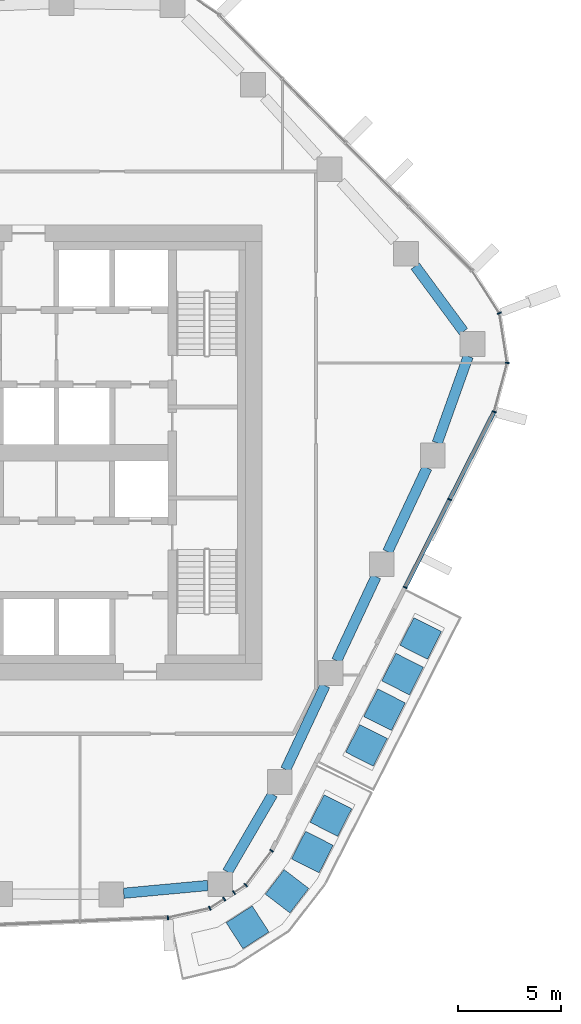
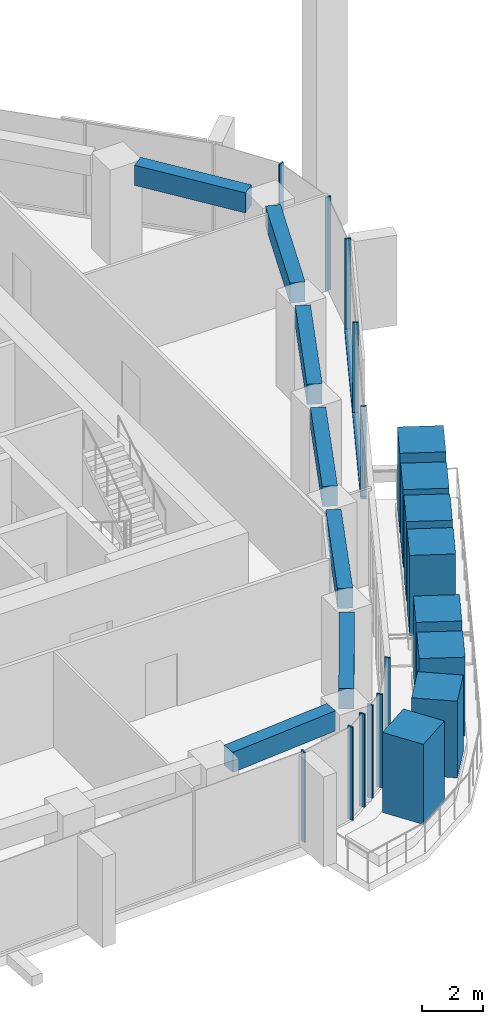
# One storey, part 4 of 18: 20 members, 7 beams, 5 elements without a shape of their own.
"""IFC4 building model written with IfcOpenShell, lengths in metres."""

from ifc_helpers import new_model, si_unit, direction, frame, origin, origin_2d, place, context, subcontext, project, spatial, rectangle, extrude, material, layer, layer_set, material_profile, profile_set, type_object, element, aggregate, save


model = new_model("IFC4")

# Units and contexts
model_context = context("Model", 3, precision=1e-05, world=origin(), true_north=direction((0.0, 1.0)))
body_context = subcontext(model_context, "Body", "Model", "MODEL_VIEW")
ifc_project = project(units=[si_unit("LENGTHUNIT", "METRE"), si_unit("AREAUNIT", "SQUARE_METRE"), si_unit("VOLUMEUNIT", "CUBIC_METRE"), si_unit("PLANEANGLEUNIT", "RADIAN"), si_unit("MASSUNIT", "GRAM", prefix="KILO")], contexts=[model_context])

# Site, building, storey
site_placement = place(None, origin())
site = spatial("IfcSite", under=ifc_project, at=site_placement, CompositionType="ELEMENT")
building_placement = place(site_placement, origin())
building = spatial("IfcBuilding", under=site, at=building_placement, Name="Dongbaek Canopy Tower", CompositionType="ELEMENT")
storey_placement = place(building_placement, frame((0.0, 0.0, 171.199951171875)))
storey = spatial("IfcBuildingStorey", under=building, at=storey_placement, Name="L37", CompositionType="ELEMENT", Elevation=171.199951171875)

# Curtain wall, members
ifc_material_1 = material(Name="Aluminium 6063-T6 pale anodised", Category="aluminium")
ifc_layer = layer(ifc_material_1, 0.199951171875)
ifc_layer_set = layer_set([ifc_layer], Name="CW-1 unitised tower curtain wall")
curtain_wall_type = type_object("IfcCurtainWallType", Name="CW-1 unitised tower curtain wall", PredefinedType="NOTDEFINED", material=ifc_layer_set)
curtain_wall_1_placement = place(storey_placement, origin())
curtain_wall_1 = element("IfcCurtainWall", 1, at=curtain_wall_1_placement, inside=storey, type_object=curtain_wall_type, Name="CW-1 curtain wall K0.1", PredefinedType="NOTDEFINED")
ifc_material_2 = material(Name="Aluminium 6063-T6 pale anodised", Category="aluminium")
ifc_material_profile_1 = material_profile(ifc_material_2, rectangle(XDim=0.199951171875, YDim=0.06005859375, at=origin_2d()), Name="CW-1 mullion 60 x 200")
ifc_profile_set_1 = profile_set([ifc_material_profile_1], Name="Aluminium 6063-T6 pale anodised")
member_type_1 = type_object("IfcMemberType", Name="CW-1 mullion 60 x 200", PredefinedType="MULLION", material=ifc_profile_set_1)
member_1_placement = place(storey_placement, frame((25.218505859375, 1.974609375, 0.0), z_axis=(0.0, 0.0, 1.0), x_axis=(0.966167065095, -0.257917045436, 0.0)))
member_1 = element("IfcMember", 2, at=member_1_placement, type_object=member_type_1, Name="CW-1 mullion K0.1.1", PredefinedType="MULLION", context=body_context, shape_type="SweptSolid", body=[
    extrude(rectangle(XDim=0.199951171875, YDim=0.06005859375, at=origin_2d()), origin(), (0.0, 0.0, 1.0), 3.699951171875),
])
member_2_placement = place(storey_placement, frame((25.85009765625, 4.340087890625, 0.0), z_axis=(0.0, 0.0, 1.0), x_axis=(0.998610902955, -0.052690269496, 0.0)))
member_2 = element("IfcMember", 3, at=member_2_placement, type_object=member_type_1, Name="CW-1 mullion K0.1.2", PredefinedType="MULLION", context=body_context, shape_type="SweptSolid", body=[
    extrude(rectangle(XDim=0.199951171875, YDim=0.06005859375, at=origin_2d()), origin(), (0.0, 0.0, 1.0), 3.699951171875),
])
member_3_placement = place(storey_placement, frame((25.47265625, 6.748291015625, 0.0), z_axis=(0.0, 0.0, 1.0), x_axis=(0.934627080368, 0.355629330402, 0.0)))
member_3 = element("IfcMember", 4, at=member_3_placement, type_object=member_type_1, Name="CW-1 mullion K0.1.3", PredefinedType="MULLION", context=body_context, shape_type="SweptSolid", body=[
    extrude(rectangle(XDim=0.199951171875, YDim=0.06005859375, at=origin_2d()), origin(), (0.0, 0.0, 1.0), 3.699951171875),
])
aggregate(curtain_wall_1, [member_1, member_2, member_3])

# Curtain wall, member
curtain_wall_2_placement = place(storey_placement, origin())
curtain_wall_2 = element("IfcCurtainWall", 5, at=curtain_wall_2_placement, inside=storey, type_object=curtain_wall_type, Name="CW-1 curtain wall F4.1", PredefinedType="NOTDEFINED")
member_4_placement = place(storey_placement, frame((9.439697265625, -22.49658203125, 0.1201171875), z_axis=(0.0, 0.0, 1.0), x_axis=(0.043640187851, -0.999047313196, 0.0)))
member_4 = element("IfcMember", 6, at=member_4_placement, type_object=member_type_1, Name="CW-1 mullion F4.1.5", PredefinedType="MULLION", context=body_context, shape_type="SweptSolid", body=[
    extrude(rectangle(XDim=0.199951171875, YDim=0.06005859375, at=origin_2d()), origin(), (0.0, 0.0, 1.0), 3.579833984375),
])
aggregate(curtain_wall_2, [member_4])

# Curtain wall, members
curtain_wall_3_placement = place(storey_placement, origin())
curtain_wall_3 = element("IfcCurtainWall", 7, at=curtain_wall_3_placement, inside=storey, type_object=curtain_wall_type, Name="CW-1 curtain wall K5.1a", PredefinedType="NOTDEFINED")
member_5_placement = place(storey_placement, frame((11.46826171875, -22.04296875, 0.0), z_axis=(0.0, 0.0, 1.0), x_axis=(0.386065487551, -0.922471375882, 0.0)))
member_5 = element("IfcMember", 8, at=member_5_placement, type_object=member_type_1, Name="CW-1 mullion K5.1a.2", PredefinedType="MULLION", context=body_context, shape_type="SweptSolid", body=[
    extrude(rectangle(XDim=0.199951171875, YDim=0.06005859375, at=origin_2d()), origin(), (0.0, 0.0, 1.0), 3.699951171875),
])
member_6_placement = place(storey_placement, frame((12.1640625, -21.59423828125, 0.0), z_axis=(0.0, 0.0, 1.0), x_axis=(0.541917367704, -0.8404317739, 0.0)))
member_6 = element("IfcMember", 9, at=member_6_placement, type_object=member_type_1, Name="CW-1 mullion K5.1a.3", PredefinedType="MULLION", context=body_context, shape_type="SweptSolid", body=[
    extrude(rectangle(XDim=0.199951171875, YDim=0.06005859375, at=origin_2d()), origin(), (0.0, 0.0, 1.0), 3.699951171875),
])
aggregate(curtain_wall_3, [member_5, member_6])

curtain_wall_4_placement = place(storey_placement, origin())
curtain_wall_4 = element("IfcCurtainWall", 10, at=curtain_wall_4_placement, inside=storey, type_object=curtain_wall_type, Name="CW-1 curtain wall K5.1b", PredefinedType="NOTDEFINED")
member_7_placement = place(storey_placement, frame((12.642333984375, -21.285888671875, 0.0), z_axis=(0.0, 0.0, 1.0), x_axis=(0.541917367704, -0.8404317739, 0.0)))
member_7 = element("IfcMember", 11, at=member_7_placement, type_object=member_type_1, Name="CW-1 mullion K5.1b.1", PredefinedType="MULLION", context=body_context, shape_type="SweptSolid", body=[
    extrude(rectangle(XDim=0.199951171875, YDim=0.06005859375, at=origin_2d()), origin(), (0.0, 0.0, 1.0), 3.699951171875),
])
member_8_placement = place(storey_placement, frame((13.20751953125, -20.92138671875, 0.0), z_axis=(0.0, 0.0, 1.0), x_axis=(0.680958805912, -0.732321722094, 0.0)))
member_8 = element("IfcMember", 12, at=member_8_placement, type_object=member_type_1, Name="CW-1 mullion K5.1b.2", PredefinedType="MULLION", context=body_context, shape_type="SweptSolid", body=[
    extrude(rectangle(XDim=0.199951171875, YDim=0.06005859375, at=origin_2d()), origin(), (0.0, 0.0, 1.0), 3.699951171875),
])
member_9_placement = place(storey_placement, frame((14.4580078125, -19.2607421875, 0.0), z_axis=(0.0, 0.0, 1.0), x_axis=(0.798876694377, -0.601494827227, 0.0)))
member_9 = element("IfcMember", 13, at=member_9_placement, type_object=member_type_1, Name="CW-1 mullion K5.1b.3", PredefinedType="MULLION", context=body_context, shape_type="SweptSolid", body=[
    extrude(rectangle(XDim=0.199951171875, YDim=0.06005859375, at=origin_2d()), origin(), (0.0, 0.0, 1.0), 3.699951171875),
])
aggregate(curtain_wall_4, [member_7, member_8, member_9])

curtain_wall_5_placement = place(storey_placement, origin())
curtain_wall_5 = element("IfcCurtainWall", 14, at=curtain_wall_5_placement, inside=storey, type_object=curtain_wall_type, Name="CW-1 curtain wall F5.1", PredefinedType="NOTDEFINED")
member_10_placement = place(storey_placement, frame((20.91552734375, -6.51708984375, 0.1201171875), z_axis=(0.0, 0.0, 1.0), x_axis=(0.892013184253, -0.452009379459, 0.0)))
member_10 = element("IfcMember", 15, at=member_10_placement, type_object=member_type_1, Name="CW-1 mullion F5.1.1", PredefinedType="MULLION", context=body_context, shape_type="SweptSolid", body=[
    extrude(rectangle(XDim=0.199951171875, YDim=0.06005859375, at=origin_2d()), origin(), (0.0, 0.0, 1.0), 3.579833984375),
])
member_11_placement = place(storey_placement, frame((23.0693359375, -2.2666015625, 0.1201171875), z_axis=(0.0, 0.0, 1.0), x_axis=(0.892013184253, -0.452009379459, 0.0)))
member_11 = element("IfcMember", 16, at=member_11_placement, type_object=member_type_1, Name="CW-1 mullion F5.1.2", PredefinedType="MULLION", context=body_context, shape_type="SweptSolid", body=[
    extrude(rectangle(XDim=0.199951171875, YDim=0.06005859375, at=origin_2d()), origin(), (0.0, 0.0, 1.0), 3.579833984375),
])
ifc_material_3 = material(Name="Aluminium 6063-T6 pale anodised", Category="aluminium")
ifc_material_profile_2 = material_profile(ifc_material_3, rectangle(XDim=0.199951171875, YDim=0.1201171875, at=origin_2d()), Name="CW-1 transom 120 x 200")
ifc_profile_set_2 = profile_set([ifc_material_profile_2], Name="Aluminium 6063-T6 pale anodised")
member_type_2 = type_object("IfcMemberType", Name="CW-1 transom 120 x 200", PredefinedType="USERDEFINED", material=ifc_profile_set_2)
member_12_placement = place(storey_placement, frame((20.91552734375, -6.51708984375, 0.06005859375), z_axis=(0.452008055739, 0.89201385502, 0.0), x_axis=(-0.89201385502, 0.452008055739, 0.0)))
member_12 = element("IfcMember", 17, at=member_12_placement, type_object=member_type_2, Name="CW-1 transom F5.1.1", ObjectType="TRANSOM", PredefinedType="USERDEFINED", context=body_context, shape_type="SweptSolid", body=[
    extrude(rectangle(XDim=0.199951171875, YDim=0.1201171875, at=origin_2d()), origin(), (0.0, 0.0, 1.0), 9.519775390625),
])
aggregate(curtain_wall_5, [member_10, member_11, member_12])

# Beams
ifc_material_4 = material(Name="Concrete C70", Category="concrete")
ifc_material_profile_3 = material_profile(ifc_material_4, rectangle(XDim=0.5, YDim=0.800048828125, at=origin_2d()), Name="RC EDGE BEAM 500x800 C70")
ifc_profile_set_3 = profile_set([ifc_material_profile_3], Name="Concrete C70")
beam_type = type_object("IfcBeamType", Name="RC EDGE BEAM 500x800 C70", PredefinedType="BEAM", material=ifc_profile_set_3)
beam_1_placement = place(storey_placement, frame((11.3720703125, -20.9404296875, 3.420166015625), z_axis=(-0.995763065099, -0.091956066598, 0.0), x_axis=(0.091956066598, -0.995763065099, 0.0)))
element("IfcBeam", 18, at=beam_1_placement, inside=storey, type_object=beam_type, Name="EDGEBEAM:L37:00", PredefinedType="BEAM", context=body_context, shape_type="SweptSolid", body=[
    extrude(rectangle(XDim=0.5, YDim=0.800048828125, at=origin_2d()), origin(), (0.0, 0.0, 1.0), 4.09130859375),
])
beam_2_placement = place(storey_placement, frame((21.402587890625, 9.02099609375, 3.420166015625), z_axis=(0.593743199573, -0.804654592332, 0.0), x_axis=(0.804654592332, 0.593743199573, 0.0)))
element("IfcBeam", 19, at=beam_2_placement, inside=storey, type_object=beam_type, Name="EDGEBEAM:L37:20", PredefinedType="BEAM", context=body_context, shape_type="SweptSolid", body=[
    extrude(rectangle(XDim=0.5, YDim=0.800048828125, at=origin_2d()), origin(), (0.0, 0.0, 1.0), 3.93212890625),
])
beam_3_placement = place(storey_placement, frame((23.965576171875, 4.656982421875, 3.420166015625), z_axis=(-0.336398951073, -0.941719568511, 0.0), x_axis=(0.941719568511, -0.336398951073, 0.0)))
element("IfcBeam", 20, at=beam_3_placement, inside=storey, type_object=beam_type, Name="EDGEBEAM:L37:21", PredefinedType="BEAM", context=body_context, shape_type="SweptSolid", body=[
    extrude(rectangle(XDim=0.5, YDim=0.800048828125, at=origin_2d()), origin(), (0.0, 0.0, 1.0), 4.4501953125),
])
beam_4_placement = place(storey_placement, frame((21.972900390625, -0.73388671875, 3.420166015625), z_axis=(-0.424114752544, -0.905608456605, 0.0), x_axis=(0.905608456605, -0.424114752544, 0.0)))
element("IfcBeam", 21, at=beam_4_placement, inside=storey, type_object=beam_type, Name="EDGEBEAM:L37:22", PredefinedType="BEAM", context=body_context, shape_type="SweptSolid", body=[
    extrude(rectangle(XDim=0.5, YDim=0.800048828125, at=origin_2d()), origin(), (0.0, 0.0, 1.0), 4.489013671875),
])
beam_5_placement = place(storey_placement, frame((19.507080078125, -5.9990234375, 3.420166015625), z_axis=(-0.424057758342, -0.905635145956, 0.0), x_axis=(0.905635145956, -0.424057758342, 0.0)))
element("IfcBeam", 22, at=beam_5_placement, inside=storey, type_object=beam_type, Name="EDGEBEAM:L37:23", PredefinedType="BEAM", context=body_context, shape_type="SweptSolid", body=[
    extrude(rectangle(XDim=0.5, YDim=0.800048828125, at=origin_2d()), origin(), (0.0, 0.0, 1.0), 4.49072265625),
])
beam_6_placement = place(storey_placement, frame((17.041015625, -11.26611328125, 3.420166015625), z_axis=(-0.424275059541, -0.905533364295, 0.0), x_axis=(0.905533364295, -0.424275059541, 0.0)))
element("IfcBeam", 23, at=beam_6_placement, inside=storey, type_object=beam_type, Name="EDGEBEAM:L37:24", PredefinedType="BEAM", context=body_context, shape_type="SweptSolid", body=[
    extrude(rectangle(XDim=0.5, YDim=0.800048828125, at=origin_2d()), origin(), (0.0, 0.0, 1.0), 4.489990234375),
])
beam_7_placement = place(storey_placement, frame((14.505859375, -16.531982421875, 3.420166015625), z_axis=(-0.503073799677, -0.864243456486, 0.0), x_axis=(0.864243456486, -0.503073799677, 0.0)))
element("IfcBeam", 24, at=beam_7_placement, inside=storey, type_object=beam_type, Name="EDGEBEAM:L37:25", PredefinedType="BEAM", context=body_context, shape_type="SweptSolid", body=[
    extrude(rectangle(XDim=0.5, YDim=0.800048828125, at=origin_2d()), origin(), (0.0, 0.0, 1.0), 4.342529296875),
])

# Members
ifc_material_5 = material(Name="Concrete C40/50 planter mass with planting", Category="concrete")
ifc_material_profile_4 = material_profile(ifc_material_5, rectangle(XDim=1.5, YDim=1.5, at=origin_2d()), Name="Terrace PLANTER shrub mass 1500 x 1500")
ifc_profile_set_4 = profile_set([ifc_material_profile_4], Name="Concrete C40/50 planter mass with planting")
member_type_3 = type_object("IfcMemberType", Name="Terrace PLANTER shrub mass 1500 x 1500", PredefinedType="USERDEFINED", material=ifc_profile_set_4)
member_13_placement = place(storey_placement, frame((19.048095703125, -14.16259765625, 0.420166015625), z_axis=(0.0, 0.0, 1.0), x_axis=(0.892013184253, -0.452009379459, 0.0)))
element("IfcMember", 25, at=member_13_placement, inside=storey, type_object=member_type_3, Name="Planter shrubs L37 1.1", ObjectType="PLANTER", PredefinedType="USERDEFINED", context=body_context, shape_type="SweptSolid", body=[
    extrude(rectangle(XDim=1.5, YDim=1.5, at=origin_2d()), origin(), (0.0, 0.0, 1.0), 3.179931640625),
])
member_14_placement = place(storey_placement, frame((19.921630859375, -12.438720703125, 0.420166015625), z_axis=(0.0, 0.0, 1.0), x_axis=(0.892013184253, -0.452009379459, 0.0)))
element("IfcMember", 26, at=member_14_placement, inside=storey, type_object=member_type_3, Name="Planter shrubs L37 1.2", ObjectType="PLANTER", PredefinedType="USERDEFINED", context=body_context, shape_type="SweptSolid", body=[
    extrude(rectangle(XDim=1.5, YDim=1.5, at=origin_2d()), origin(), (0.0, 0.0, 1.0), 3.169921875),
])
member_15_placement = place(storey_placement, frame((20.795166015625, -10.71484375, 0.420166015625), z_axis=(0.0, 0.0, 1.0), x_axis=(0.892013184253, -0.452009379459, 0.0)))
element("IfcMember", 27, at=member_15_placement, inside=storey, type_object=member_type_3, Name="Planter shrubs L37 1.3", ObjectType="PLANTER", PredefinedType="USERDEFINED", context=body_context, shape_type="SweptSolid", body=[
    extrude(rectangle(XDim=1.5, YDim=1.5, at=origin_2d()), origin(), (0.0, 0.0, 1.0), 3.08984375),
])
for number, where, z_axis, x_axis, name in (
    (28, (21.668701171875, -8.990966796875, 0.420166015625), (0.0, 0.0, 1.0), (0.892013184253, -0.452009379459, 0.0), "Planter shrubs L37 1.4"),
    (29, (13.293701171875, -22.964599609375, 0.420166015625), (0.0, 0.0, 1.0), (0.541917367704, -0.8404317739, 0.0), "Planter shrubs L37 2.1"),
):
    element("IfcMember", number, at=place(storey_placement, frame(where, z_axis=z_axis, x_axis=x_axis)), inside=storey, type_object=member_type_3, Name=name, ObjectType="PLANTER", PredefinedType="USERDEFINED", context=body_context, shape_type="SweptSolid", body=[
        extrude(rectangle(XDim=1.5, YDim=1.5, at=origin_2d()), origin(), (0.0, 0.0, 1.0), 3.179931640625),
    ])
member_16_placement = place(storey_placement, frame((15.20263671875, -21.220458984375, 0.420166015625), z_axis=(0.0, 0.0, 1.0), x_axis=(0.794220072338, -0.607630213778, 0.0)))
element("IfcMember", 30, at=member_16_placement, inside=storey, type_object=member_type_3, Name="Planter shrubs L37 2.2", ObjectType="PLANTER", PredefinedType="USERDEFINED", context=body_context, shape_type="SweptSolid", body=[
    extrude(rectangle(XDim=1.5, YDim=1.5, at=origin_2d()), origin(), (0.0, 0.0, 1.0), 3.0498046875),
])
member_17_placement = place(storey_placement, frame((16.427001953125, -19.324462890625, 0.420166015625), z_axis=(0.0, 0.0, 1.0), x_axis=(0.891263260398, -0.453486273955, 0.0)))
element("IfcMember", 31, at=member_17_placement, inside=storey, type_object=member_type_3, Name="Planter shrubs L37 2.3", ObjectType="PLANTER", PredefinedType="USERDEFINED", context=body_context, shape_type="SweptSolid", body=[
    extrude(rectangle(XDim=1.5, YDim=1.5, at=origin_2d()), origin(), (0.0, 0.0, 1.0), 3.1298828125),
])
member_18_placement = place(storey_placement, frame((17.32568359375, -17.557861328125, 0.420166015625), z_axis=(0.0, 0.0, 1.0), x_axis=(0.891263260398, -0.453486273955, 0.0)))
element("IfcMember", 32, at=member_18_placement, inside=storey, type_object=member_type_3, Name="Planter shrubs L37 2.4", ObjectType="PLANTER", PredefinedType="USERDEFINED", context=body_context, shape_type="SweptSolid", body=[
    extrude(rectangle(XDim=1.5, YDim=1.5, at=origin_2d()), origin(), (0.0, 0.0, 1.0), 3.179931640625),
])

save(model, "model.ifc")
